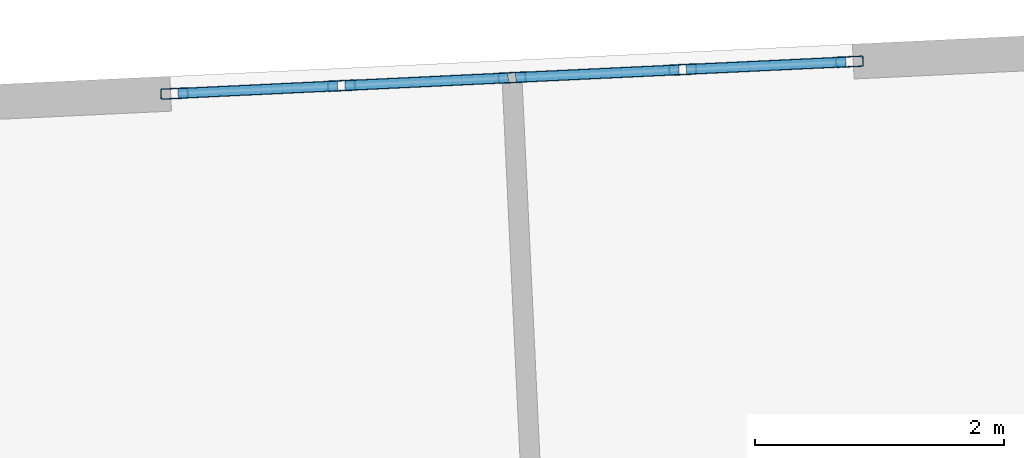
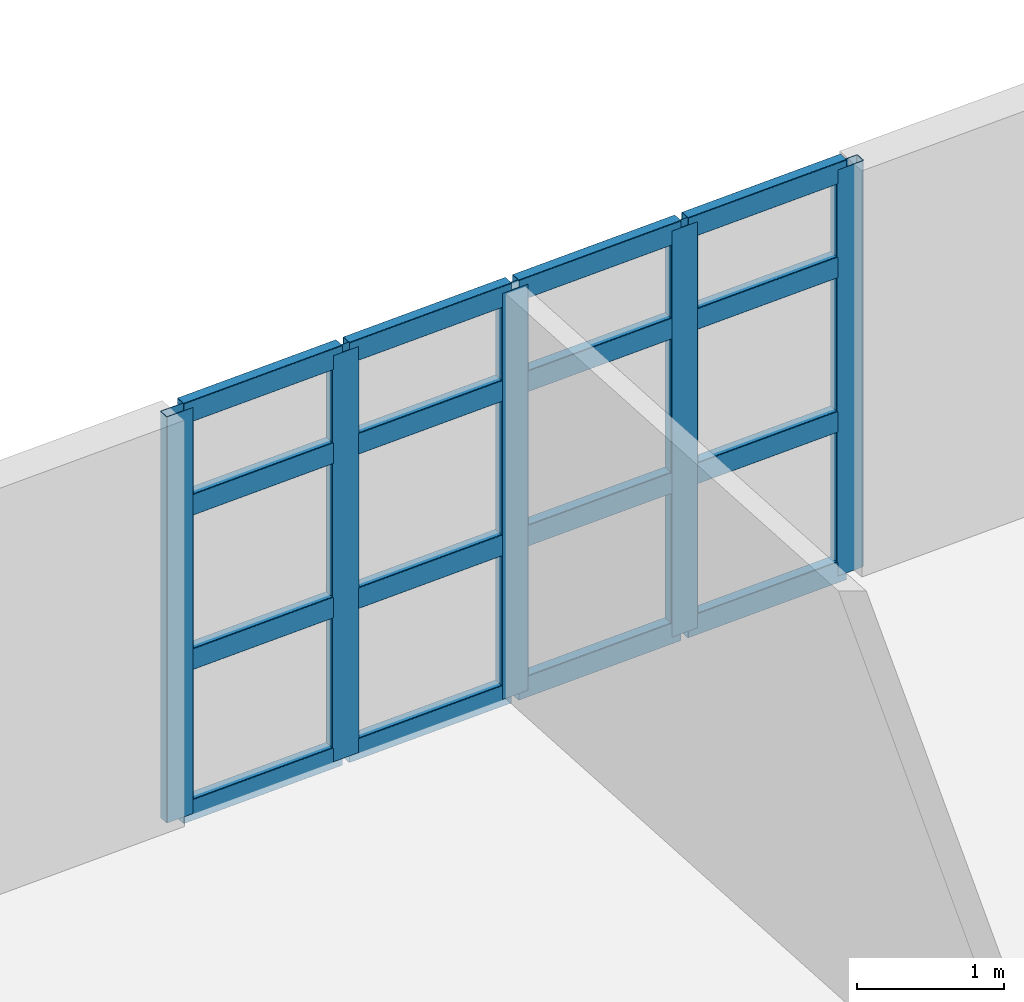
# One storey, part 9 of 22: 21 members, 1 element without a shape of its own.
"""IFC4 building model written with IfcOpenShell, lengths in metres."""

from ifc_helpers import new_model, si_unit, direction, frame, origin, origin_2d, place, context, subcontext, project, spatial, hollow_rectangle, extrude, material, layer, layer_set, material_profile, profile_set, type_object, element, aggregate, save


model = new_model("IFC4")

# Units and contexts
model_context = context("Model", 3, precision=1e-05, world=origin(), true_north=direction((0.0, 1.0)))
body_context = subcontext(model_context, "Body", "Model", "MODEL_VIEW")
ifc_project = project(units=[si_unit("LENGTHUNIT", "METRE"), si_unit("AREAUNIT", "SQUARE_METRE"), si_unit("VOLUMEUNIT", "CUBIC_METRE"), si_unit("PLANEANGLEUNIT", "RADIAN"), si_unit("MASSUNIT", "GRAM", prefix="KILO")], contexts=[model_context])

# Site, building, storey
site_placement = place(None, origin())
site = spatial("IfcSite", under=ifc_project, at=site_placement, CompositionType="ELEMENT")
building_placement = place(site_placement, origin())
building = spatial("IfcBuilding", under=site, at=building_placement, Name="Qingluan Cross Belvedere", CompositionType="ELEMENT")
storey_placement = place(building_placement, frame((0.0, 0.0, 196.800048828125)))
storey = spatial("IfcBuildingStorey", under=building, at=storey_placement, Name="L49", CompositionType="ELEMENT", Elevation=196.800048828125)

# Curtain wall, members
ifc_material_1 = material(Name="Thermally broken aluminium and Low-E glass", Category="aluminium")
ifc_layer = layer(ifc_material_1, 0.219970703125, Name="UnitisedCW_SkyLobbyHigh")
ifc_layer_set = layer_set([ifc_layer], Name="Thermally broken aluminium and Low-E glass")
curtain_wall_type = type_object("IfcCurtainWallType", Name="UnitisedCW_SkyLobbyHigh", PredefinedType="USERDEFINED", material=ifc_layer_set)
curtain_wall_placement = place(storey_placement, origin())
curtain_wall = element("IfcCurtainWall", 1, at=curtain_wall_placement, inside=storey, type_object=curtain_wall_type, Name="UnitisedCW_SkyLobbyHigh run env:cw:L49:N", ObjectType="UNITISED CURTAIN WALL", PredefinedType="USERDEFINED")
ifc_material_2 = material(Name="Aluminium alloy 6063-T6", Category="aluminium")
ifc_material_profile_1 = material_profile(ifc_material_2, hollow_rectangle(XDim=0.0849609375, YDim=0.219970703125, WallThickness=0.0048828125, InnerFilletRadius=0.0048828125, OuterFilletRadius=0.010009765625, at=origin_2d()), Name="CWM220x85x5")
ifc_profile_set_1 = profile_set([ifc_material_profile_1], Name="Aluminium alloy 6063-T6")
member_type_1 = type_object("IfcMemberType", Name="CWMullion_220", PredefinedType="MULLION", material=ifc_profile_set_1)
member_1_placement = place(storey_placement, frame((1.053955078125, 35.268798828125, 0.0), z_axis=(0.0, 0.0, 1.0), x_axis=(0.04710198597, -0.998890085504, 0.0)))
member_1 = element("IfcMember", 2, at=member_1_placement, type_object=member_type_1, Name="CW-S2 mullion 1", PredefinedType="MULLION", context=body_context, shape_type="SweptSolid", body=[
    extrude(hollow_rectangle(XDim=0.0849609375, YDim=0.219970703125, WallThickness=0.0048828125, InnerFilletRadius=0.0048828125, OuterFilletRadius=0.010009765625, at=origin_2d()), origin(), (0.0, 0.0, 1.0), 3.3798828125),
])
member_2_placement = place(storey_placement, frame((-0.28662109375, 35.20556640625, 0.0), z_axis=(0.0, 0.0, 1.0), x_axis=(0.04710198597, -0.998890085504, 0.0)))
member_2 = element("IfcMember", 3, at=member_2_placement, type_object=member_type_1, Name="CW-S2 mullion 2", PredefinedType="MULLION", context=body_context, shape_type="SweptSolid", body=[
    extrude(hollow_rectangle(XDim=0.0849609375, YDim=0.219970703125, WallThickness=0.0048828125, InnerFilletRadius=0.0048828125, OuterFilletRadius=0.010009765625, at=origin_2d()), origin(), (0.0, 0.0, 1.0), 3.3798828125),
])
member_3_placement = place(storey_placement, frame((-1.6572265625, 35.140869140625, 0.0), z_axis=(0.0, 0.0, 1.0), x_axis=(0.04710198597, -0.998890085504, 0.0)))
member_3 = element("IfcMember", 4, at=member_3_placement, type_object=member_type_1, Name="CW-S2 mullion 3", PredefinedType="MULLION", context=body_context, shape_type="SweptSolid", body=[
    extrude(hollow_rectangle(XDim=0.0849609375, YDim=0.219970703125, WallThickness=0.0048828125, InnerFilletRadius=0.0048828125, OuterFilletRadius=0.010009765625, at=origin_2d()), origin(), (0.0, 0.0, 1.0), 3.3798828125),
])
member_4_placement = place(storey_placement, frame((-3.027587890625, 35.076416015625, 0.0), z_axis=(0.0, 0.0, 1.0), x_axis=(0.04710198597, -0.998890085504, 0.0)))
member_4 = element("IfcMember", 5, at=member_4_placement, type_object=member_type_1, Name="CW-S2 mullion 4", PredefinedType="MULLION", context=body_context, shape_type="SweptSolid", body=[
    extrude(hollow_rectangle(XDim=0.0849609375, YDim=0.219970703125, WallThickness=0.0048828125, InnerFilletRadius=0.0048828125, OuterFilletRadius=0.010009765625, at=origin_2d()), origin(), (0.0, 0.0, 1.0), 3.3798828125),
])
member_5_placement = place(storey_placement, frame((-4.3681640625, 35.01318359375, 0.0), z_axis=(0.0, 0.0, 1.0), x_axis=(0.04710198597, -0.998890085504, 0.0)))
member_5 = element("IfcMember", 6, at=member_5_placement, type_object=member_type_1, Name="CW-S2 mullion 5", PredefinedType="MULLION", context=body_context, shape_type="SweptSolid", body=[
    extrude(hollow_rectangle(XDim=0.0849609375, YDim=0.219970703125, WallThickness=0.0048828125, InnerFilletRadius=0.0048828125, OuterFilletRadius=0.010009765625, at=origin_2d()), origin(), (0.0, 0.0, 1.0), 3.3798828125),
])
ifc_material_3 = material(Name="Aluminium alloy 6063-T6", Category="aluminium")
ifc_material_profile_2 = material_profile(ifc_material_3, hollow_rectangle(XDim=0.0849609375, YDim=0.179931640625, WallThickness=0.00390625, InnerFilletRadius=0.00390625, OuterFilletRadius=0.008056640625, at=origin_2d()), Name="CWT180x85x4")
ifc_profile_set_2 = profile_set([ifc_material_profile_2], Name="Aluminium alloy 6063-T6")
member_type_2 = type_object("IfcMemberType", Name="CWTransom_180", PredefinedType="USERDEFINED", material=ifc_profile_set_2)
member_6_placement = place(storey_placement, frame((1.02392578125, 35.267333984375, 0.030029296875), z_axis=(-0.998893411902, -0.047031390152, 0.0), x_axis=(0.047031390152, -0.998893411902, 0.0)))
member_6 = element("IfcMember", 7, at=member_6_placement, type_object=member_type_2, Name="CW-S2 transom 1.1", ObjectType="TRANSOM", PredefinedType="USERDEFINED", context=body_context, shape_type="SweptSolid", body=[
    extrude(hollow_rectangle(XDim=0.0849609375, YDim=0.179931640625, WallThickness=0.00390625, InnerFilletRadius=0.00390625, OuterFilletRadius=0.008056640625, at=origin_2d()), origin(), (0.0, 0.0, 1.0), 1.2822265625),
])
member_7_placement = place(storey_placement, frame((1.02392578125, 35.267333984375, 1.283935546875), z_axis=(-0.998893411902, -0.047031390152, 0.0), x_axis=(0.047031390152, -0.998893411902, 0.0)))
member_7 = element("IfcMember", 8, at=member_7_placement, type_object=member_type_2, Name="CW-S2 transom 1.2", ObjectType="TRANSOM", PredefinedType="USERDEFINED", context=body_context, shape_type="SweptSolid", body=[
    extrude(hollow_rectangle(XDim=0.0849609375, YDim=0.179931640625, WallThickness=0.00390625, InnerFilletRadius=0.00390625, OuterFilletRadius=0.008056640625, at=origin_2d()), origin(), (0.0, 0.0, 1.0), 1.2822265625),
])
member_8_placement = place(storey_placement, frame((1.02392578125, 35.267333984375, 2.56884765625), z_axis=(-0.998893411902, -0.047031390152, 0.0), x_axis=(0.047031390152, -0.998893411902, 0.0)))
member_8 = element("IfcMember", 9, at=member_8_placement, type_object=member_type_2, Name="CW-S2 transom 1.3", ObjectType="TRANSOM", PredefinedType="USERDEFINED", context=body_context, shape_type="SweptSolid", body=[
    extrude(hollow_rectangle(XDim=0.0849609375, YDim=0.179931640625, WallThickness=0.00390625, InnerFilletRadius=0.00390625, OuterFilletRadius=0.008056640625, at=origin_2d()), origin(), (0.0, 0.0, 1.0), 1.2822265625),
])
member_9_placement = place(storey_placement, frame((1.02392578125, 35.267333984375, 3.349853515625), z_axis=(-0.998893411902, -0.047031390152, 0.0), x_axis=(0.047031390152, -0.998893411902, 0.0)))
member_9 = element("IfcMember", 10, at=member_9_placement, type_object=member_type_2, Name="CW-S2 transom 1.4", ObjectType="TRANSOM", PredefinedType="USERDEFINED", context=body_context, shape_type="SweptSolid", body=[
    extrude(hollow_rectangle(XDim=0.0849609375, YDim=0.179931640625, WallThickness=0.00390625, InnerFilletRadius=0.00390625, OuterFilletRadius=0.008056640625, at=origin_2d()), origin(), (0.0, 0.0, 1.0), 1.2822265625),
])
member_10_placement = place(storey_placement, frame((-0.316650390625, 35.2041015625, 0.030029296875), z_axis=(-0.998891174437, -0.04707888732, 0.0), x_axis=(0.04707888732, -0.998891174437, 0.0)))
member_10 = element("IfcMember", 11, at=member_10_placement, type_object=member_type_2, Name="CW-S2 transom 2.1", ObjectType="TRANSOM", PredefinedType="USERDEFINED", context=body_context, shape_type="SweptSolid", body=[
    extrude(hollow_rectangle(XDim=0.0849609375, YDim=0.179931640625, WallThickness=0.00390625, InnerFilletRadius=0.00390625, OuterFilletRadius=0.008056640625, at=origin_2d()), origin(), (0.0, 0.0, 1.0), 1.31201171875),
])
member_11_placement = place(storey_placement, frame((-0.316650390625, 35.2041015625, 1.283935546875), z_axis=(-0.998891174437, -0.04707888732, 0.0), x_axis=(0.04707888732, -0.998891174437, 0.0)))
member_11 = element("IfcMember", 12, at=member_11_placement, type_object=member_type_2, Name="CW-S2 transom 2.2", ObjectType="TRANSOM", PredefinedType="USERDEFINED", context=body_context, shape_type="SweptSolid", body=[
    extrude(hollow_rectangle(XDim=0.0849609375, YDim=0.179931640625, WallThickness=0.00390625, InnerFilletRadius=0.00390625, OuterFilletRadius=0.008056640625, at=origin_2d()), origin(), (0.0, 0.0, 1.0), 1.31201171875),
])
member_12_placement = place(storey_placement, frame((-0.316650390625, 35.2041015625, 2.56884765625), z_axis=(-0.998891174437, -0.04707888732, 0.0), x_axis=(0.04707888732, -0.998891174437, 0.0)))
member_12 = element("IfcMember", 13, at=member_12_placement, type_object=member_type_2, Name="CW-S2 transom 2.3", ObjectType="TRANSOM", PredefinedType="USERDEFINED", context=body_context, shape_type="SweptSolid", body=[
    extrude(hollow_rectangle(XDim=0.0849609375, YDim=0.179931640625, WallThickness=0.00390625, InnerFilletRadius=0.00390625, OuterFilletRadius=0.008056640625, at=origin_2d()), origin(), (0.0, 0.0, 1.0), 1.31201171875),
])
member_13_placement = place(storey_placement, frame((-0.316650390625, 35.2041015625, 3.349853515625), z_axis=(-0.998891174437, -0.04707888732, 0.0), x_axis=(0.04707888732, -0.998891174437, 0.0)))
member_13 = element("IfcMember", 14, at=member_13_placement, type_object=member_type_2, Name="CW-S2 transom 2.4", ObjectType="TRANSOM", PredefinedType="USERDEFINED", context=body_context, shape_type="SweptSolid", body=[
    extrude(hollow_rectangle(XDim=0.0849609375, YDim=0.179931640625, WallThickness=0.00390625, InnerFilletRadius=0.00390625, OuterFilletRadius=0.008056640625, at=origin_2d()), origin(), (0.0, 0.0, 1.0), 1.31201171875),
])
member_14_placement = place(storey_placement, frame((-1.687255859375, 35.1396484375, 0.030029296875), z_axis=(-0.998882406413, -0.047264554998, 0.0), x_axis=(0.047264554998, -0.998882406413, 0.0)))
member_14 = element("IfcMember", 15, at=member_14_placement, type_object=member_type_2, Name="CW-S2 transom 3.1", ObjectType="TRANSOM", PredefinedType="USERDEFINED", context=body_context, shape_type="SweptSolid", body=[
    extrude(hollow_rectangle(XDim=0.0849609375, YDim=0.179931640625, WallThickness=0.00390625, InnerFilletRadius=0.00390625, OuterFilletRadius=0.008056640625, at=origin_2d()), origin(), (0.0, 0.0, 1.0), 1.31201171875),
])
member_15_placement = place(storey_placement, frame((-1.687255859375, 35.1396484375, 1.283935546875), z_axis=(-0.998882406413, -0.047264554998, 0.0), x_axis=(0.047264554998, -0.998882406413, 0.0)))
member_15 = element("IfcMember", 16, at=member_15_placement, type_object=member_type_2, Name="CW-S2 transom 3.2", ObjectType="TRANSOM", PredefinedType="USERDEFINED", context=body_context, shape_type="SweptSolid", body=[
    extrude(hollow_rectangle(XDim=0.0849609375, YDim=0.179931640625, WallThickness=0.00390625, InnerFilletRadius=0.00390625, OuterFilletRadius=0.008056640625, at=origin_2d()), origin(), (0.0, 0.0, 1.0), 1.31201171875),
])
member_16_placement = place(storey_placement, frame((-1.687255859375, 35.1396484375, 2.56884765625), z_axis=(-0.998882406413, -0.047264554998, 0.0), x_axis=(0.047264554998, -0.998882406413, 0.0)))
member_16 = element("IfcMember", 17, at=member_16_placement, type_object=member_type_2, Name="CW-S2 transom 3.3", ObjectType="TRANSOM", PredefinedType="USERDEFINED", context=body_context, shape_type="SweptSolid", body=[
    extrude(hollow_rectangle(XDim=0.0849609375, YDim=0.179931640625, WallThickness=0.00390625, InnerFilletRadius=0.00390625, OuterFilletRadius=0.008056640625, at=origin_2d()), origin(), (0.0, 0.0, 1.0), 1.31201171875),
])
member_17_placement = place(storey_placement, frame((-1.687255859375, 35.1396484375, 3.349853515625), z_axis=(-0.998882406413, -0.047264554998, 0.0), x_axis=(0.047264554998, -0.998882406413, 0.0)))
member_17 = element("IfcMember", 18, at=member_17_placement, type_object=member_type_2, Name="CW-S2 transom 3.4", ObjectType="TRANSOM", PredefinedType="USERDEFINED", context=body_context, shape_type="SweptSolid", body=[
    extrude(hollow_rectangle(XDim=0.0849609375, YDim=0.179931640625, WallThickness=0.00390625, InnerFilletRadius=0.00390625, OuterFilletRadius=0.008056640625, at=origin_2d()), origin(), (0.0, 0.0, 1.0), 1.31201171875),
])
member_18_placement = place(storey_placement, frame((-3.0576171875, 35.074951171875, 0.030029296875), z_axis=(-0.998884448554, -0.047221376905, 0.0), x_axis=(0.047221376905, -0.998884448554, 0.0)))
member_18 = element("IfcMember", 19, at=member_18_placement, type_object=member_type_2, Name="CW-S2 transom 4.1", ObjectType="TRANSOM", PredefinedType="USERDEFINED", context=body_context, shape_type="SweptSolid", body=[
    extrude(hollow_rectangle(XDim=0.0849609375, YDim=0.179931640625, WallThickness=0.00390625, InnerFilletRadius=0.00390625, OuterFilletRadius=0.008056640625, at=origin_2d()), origin(), (0.0, 0.0, 1.0), 1.2822265625),
])
member_19_placement = place(storey_placement, frame((-3.0576171875, 35.074951171875, 1.283935546875), z_axis=(-0.998884448554, -0.047221376905, 0.0), x_axis=(0.047221376905, -0.998884448554, 0.0)))
member_19 = element("IfcMember", 20, at=member_19_placement, type_object=member_type_2, Name="CW-S2 transom 4.2", ObjectType="TRANSOM", PredefinedType="USERDEFINED", context=body_context, shape_type="SweptSolid", body=[
    extrude(hollow_rectangle(XDim=0.0849609375, YDim=0.179931640625, WallThickness=0.00390625, InnerFilletRadius=0.00390625, OuterFilletRadius=0.008056640625, at=origin_2d()), origin(), (0.0, 0.0, 1.0), 1.2822265625),
])
member_20_placement = place(storey_placement, frame((-3.0576171875, 35.074951171875, 2.56884765625), z_axis=(-0.998884448554, -0.047221376905, 0.0), x_axis=(0.047221376905, -0.998884448554, 0.0)))
member_20 = element("IfcMember", 21, at=member_20_placement, type_object=member_type_2, Name="CW-S2 transom 4.3", ObjectType="TRANSOM", PredefinedType="USERDEFINED", context=body_context, shape_type="SweptSolid", body=[
    extrude(hollow_rectangle(XDim=0.0849609375, YDim=0.179931640625, WallThickness=0.00390625, InnerFilletRadius=0.00390625, OuterFilletRadius=0.008056640625, at=origin_2d()), origin(), (0.0, 0.0, 1.0), 1.2822265625),
])
member_21_placement = place(storey_placement, frame((-3.0576171875, 35.074951171875, 3.349853515625), z_axis=(-0.998884448554, -0.047221376905, 0.0), x_axis=(0.047221376905, -0.998884448554, 0.0)))
member_21 = element("IfcMember", 22, at=member_21_placement, type_object=member_type_2, Name="CW-S2 transom 4.4", ObjectType="TRANSOM", PredefinedType="USERDEFINED", context=body_context, shape_type="SweptSolid", body=[
    extrude(hollow_rectangle(XDim=0.0849609375, YDim=0.179931640625, WallThickness=0.00390625, InnerFilletRadius=0.00390625, OuterFilletRadius=0.008056640625, at=origin_2d()), origin(), (0.0, 0.0, 1.0), 1.2822265625),
])
aggregate(curtain_wall, [member_1, member_2, member_3, member_4, member_5, member_6, member_7, member_8, member_9, member_10, member_11, member_12, member_13, member_14, member_15, member_16, member_17, member_18, member_19, member_20, member_21])

save(model, "model.ifc")
